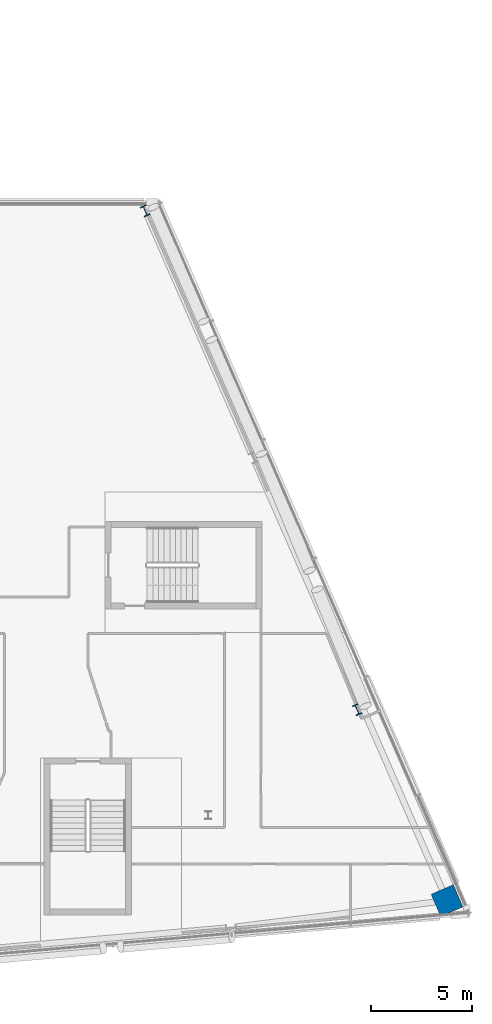
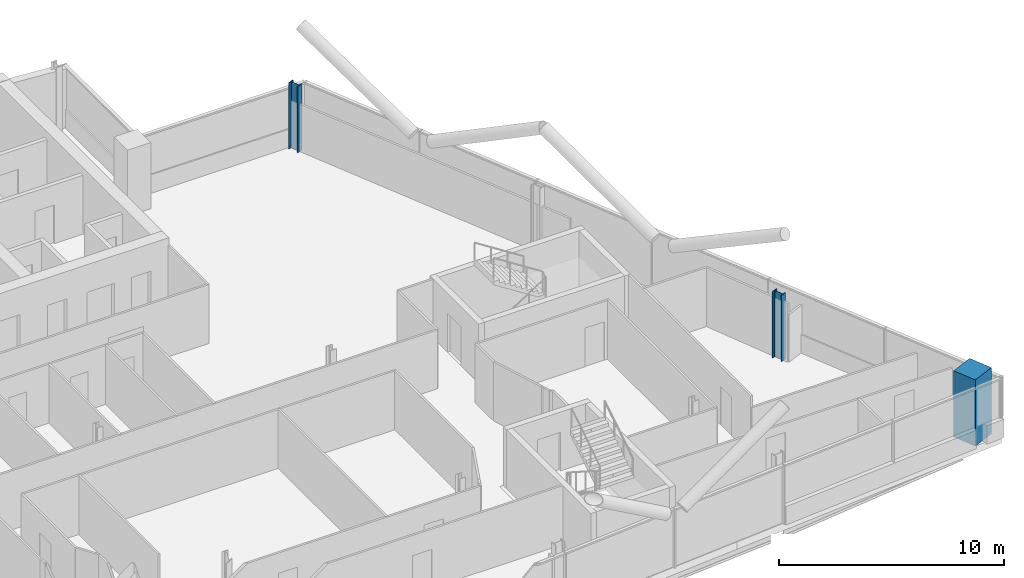
# One storey, part 4 of 27: 3 columns.
"""IFC4 building model written with IfcOpenShell, lengths in metres."""

import ifcopenshell
import ifcopenshell.guid

model = None  # the IFC model being written
_history = None  # IfcOwnerHistory: only IFC2X3 demands one
_inside = {}  # id of a spatial element -> (the spatial element, [elements in it])
_under = {}  # id of a project, library or spatial element -> (it, [spatial elements below it])
_declared = {}  # id of a project -> (the project, [libraries it declares])
_typed = {}  # id of a type object -> (the type object, [elements of that type])
_made_of = {}  # id of a material, layer set ... -> (it, [elements and type objects made of it])


def new_model(schema):
    """Start an empty IFC model of exactly this schema.

    Asked for "IFC4X3", IfcOpenShell would pick the latest addendum, in which some entities
    have other attributes; the version numbers below select the first issue.
    IFC2X3 requires an IfcOwnerHistory on every rooted entity: one is made here for all.
    """
    global model, _history
    if schema == "IFC4X3":
        model = ifcopenshell.file(schema_version=(4, 3, 0, 0))
    else:
        model = ifcopenshell.file(schema=schema)
    _inside.clear()
    _under.clear()
    _declared.clear()
    _typed.clear()
    _made_of.clear()
    _history = None
    if model.schema == "IFC2X3":
        org = make("IfcOrganization", Name="unknown")
        user = make(
            "IfcPersonAndOrganization",
            ThePerson=make("IfcPerson", FamilyName="unknown"),
            TheOrganization=org,
        )
        app = make(
            "IfcApplication",
            ApplicationDeveloper=org,
            Version="unknown",
            ApplicationFullName="unknown",
            ApplicationIdentifier="unknown",
        )
        _history = make(
            "IfcOwnerHistory",
            OwningUser=user,
            OwningApplication=app,
            ChangeAction="ADDED",
            CreationDate=0,
        )
    return model


def make(cls, **values):
    """One entity of the class cls with the attributes given. An attribute that is None is left unset."""
    return model.create_entity(
        cls, **{name: value for name, value in values.items() if value is not None}
    )


def rooted(cls, **values):
    """An entity with a GlobalId (a new one), such as an element, a storey or a relation."""
    return make(cls, GlobalId=ifcopenshell.guid.new(), OwnerHistory=_history, **values)


def si_unit(unit_type, name, prefix=None):
    """IfcSIUnit, for example si_unit("LENGTHUNIT", "METRE", prefix="MILLI")."""
    return make("IfcSIUnit", UnitType=unit_type, Prefix=prefix, Name=name)


def assignment(units):
    """IfcUnitAssignment: the units of a project."""
    return None if units is None else make("IfcUnitAssignment", Units=units)


def point(xyz):
    """IfcCartesianPoint."""
    return None if xyz is None else make("IfcCartesianPoint", Coordinates=xyz)


def direction(xyz):
    """IfcDirection."""
    return None if xyz is None else make("IfcDirection", DirectionRatios=xyz)


def frame(location, z_axis=None, x_axis=None):
    """IfcAxis2Placement3D, a coordinate frame: its origin and axes. An axis left out is left unset."""
    return make(
        "IfcAxis2Placement3D",
        Location=point(location),
        Axis=direction(z_axis),
        RefDirection=direction(x_axis),
    )


def frame_2d(location, x_axis=None):
    """IfcAxis2Placement2D, a coordinate frame in the plane: its origin and x axis."""
    return make(
        "IfcAxis2Placement2D", Location=point(location), RefDirection=direction(x_axis)
    )


def origin():
    """The frame at (0, 0, 0) with its axes left unset."""
    return frame((0.0, 0.0, 0.0))


def origin_2d():
    """The frame at (0, 0) in the plane with its x axis left unset."""
    return frame_2d((0.0, 0.0))


def place(relative_to, where):
    """IfcLocalPlacement: puts the frame where relative to a parent placement (None: the world)."""
    return make(
        "IfcLocalPlacement", PlacementRelTo=relative_to, RelativePlacement=where
    )


def context(
    kind, dimensions, precision=None, world=None, true_north=None, identifier=None
):
    """IfcGeometricRepresentationContext, for example the 3D "Model" context."""
    return make(
        "IfcGeometricRepresentationContext",
        ContextIdentifier=identifier,
        ContextType=kind,
        CoordinateSpaceDimension=dimensions,
        Precision=precision,
        WorldCoordinateSystem=world,
        TrueNorth=true_north,
    )


def subcontext(parent, identifier, kind, view, scale=None):
    """IfcGeometricRepresentationSubContext, for example "Body" below "Model"."""
    return make(
        "IfcGeometricRepresentationSubContext",
        ContextIdentifier=identifier,
        ContextType=kind,
        ParentContext=parent,
        TargetScale=scale,
        TargetView=view,
    )


def project(units=None, contexts=None):
    """IfcProject with its units and contexts."""
    return rooted(
        "IfcProject",
        Name="project",
        RepresentationContexts=contexts,
        UnitsInContext=assignment(units),
    )


def spatial(cls, under=None, at=None, **own):
    """A site, building, storey or space (cls), placed at a placement, below another one or the project."""
    s = rooted(cls, ObjectPlacement=at, **own)
    if under is not None:
        _under.setdefault(under.id(), (under, []))[1].append(s)
    return s


def profile(cls, at=None, kind="AREA", **sizes):
    """A parametric profile (cls). Its sizes go by their IFC names, for example OverallWidth=200.0."""
    return make(cls, ProfileType=kind, Position=at, **sizes)


def rectangle(**sizes):
    """IfcRectangleProfileDef."""
    return profile("IfcRectangleProfileDef", **sizes)


def i_section(**sizes):
    """IfcIShapeProfileDef."""
    return profile("IfcIShapeProfileDef", **sizes)


def extrude(swept, where, along, depth):
    """IfcExtrudedAreaSolid: the profile swept, set in the frame where, extruded along a direction by depth."""
    return make(
        "IfcExtrudedAreaSolid",
        SweptArea=swept,
        Position=where,
        ExtrudedDirection=direction(along),
        Depth=depth,
    )


def shape(context_of_items, identifier, shape_type, items):
    """IfcShapeRepresentation: the items that make up one representation, for example the "Body"."""
    return make(
        "IfcShapeRepresentation",
        ContextOfItems=context_of_items,
        RepresentationIdentifier=identifier,
        RepresentationType=shape_type,
        Items=items,
    )


def material(Name=None, Category=None):
    """IfcMaterial."""
    return make("IfcMaterial", Name=Name, Category=Category)


def material_profile(
    of_material, cross_section, Name=None, Category=None, Priority=None
):
    """IfcMaterialProfile: a cross section and its material."""
    return make(
        "IfcMaterialProfile",
        Name=Name,
        Material=of_material,
        Profile=cross_section,
        Priority=Priority,
        Category=Category,
    )


def profile_set(profiles, Name=None, composite=None):
    """IfcMaterialProfileSet."""
    return make(
        "IfcMaterialProfileSet",
        Name=Name,
        MaterialProfiles=profiles,
        CompositeProfile=composite,
    )


def made_of(thing, what):
    """Note that an element or type object is made of a material, layer set ...; save() writes the relation."""
    if what is not None:
        _made_of.setdefault(what.id(), (what, []))[1].append(thing)
    return thing


def type_object(cls, material=None, **own):
    """A type object (cls), such as IfcWallType, which elements share."""
    return made_of(rooted(cls, **own), material)


def element(
    cls,
    number,
    at=None,
    inside=None,
    cuts=None,
    type_object=None,
    material=None,
    context=None,
    identifier="Body",
    shape_type=None,
    held_by="IfcProductDefinitionShape",
    body=None,
    shapes=None,
    **own,
):
    """One element of the class cls, such as IfcWall. Its Tag is "e" and its number.

    at: its placement. inside: the storey or other place that contains it. cuts: it is an
    opening in that element (IfcRelVoidsElement). A single representation is given by context,
    identifier, shape_type and body (its items); several are given by shapes. held_by: the class
    of the entity that holds the representations. save() writes the other relations.
    """
    e = rooted(cls, Tag="e%d" % number, ObjectPlacement=at, **own)
    if body is not None:
        shapes = [shape(context, identifier, shape_type, body)]
    if shapes is not None:
        e.Representation = make(held_by, Representations=shapes)
    if inside is not None:
        _inside.setdefault(inside.id(), (inside, []))[1].append(e)
    if cuts is not None:
        rooted(
            "IfcRelVoidsElement", RelatingBuildingElement=cuts, RelatedOpeningElement=e
        )
    if type_object is not None:
        _typed.setdefault(type_object.id(), (type_object, []))[1].append(e)
    return made_of(e, material)


def aggregate(whole, parts):
    """IfcRelAggregates: a whole, such as a stair, and the parts it consists of."""
    return rooted("IfcRelAggregates", RelatingObject=whole, RelatedObjects=parts)


def save(model, path):
    """Write the relations noted so far, then the file.

    IfcRelAggregates (storeys below a building ...), IfcRelContainedInSpatialStructure (elements
    in a storey), IfcRelDefinesByType, IfcRelAssociatesMaterial and IfcRelDeclares: one each for
    every whole, place, type object, material and project.
    """
    for whole, parts in _under.values():
        aggregate(whole, parts)
    for where, things in _inside.values():
        rooted(
            "IfcRelContainedInSpatialStructure",
            RelatedElements=things,
            RelatingStructure=where,
        )
    for kind, things in _typed.values():
        rooted("IfcRelDefinesByType", RelatedObjects=things, RelatingType=kind)
    for what, things in _made_of.values():
        rooted("IfcRelAssociatesMaterial", RelatedObjects=things, RelatingMaterial=what)
    for by, libraries in _declared.values():
        rooted("IfcRelDeclares", RelatingContext=by, RelatedDefinitions=libraries)
    model.write(path)


model = new_model("IFC4")

# Units and contexts
model_context = context("Model", 3, precision=1e-05, world=origin(), true_north=direction((0.0, 1.0)))
body_context = subcontext(model_context, "Body", "Model", "MODEL_VIEW")
ifc_project = project(units=[si_unit("LENGTHUNIT", "METRE"), si_unit("AREAUNIT", "SQUARE_METRE"), si_unit("VOLUMEUNIT", "CUBIC_METRE"), si_unit("PLANEANGLEUNIT", "RADIAN"), si_unit("MASSUNIT", "GRAM", prefix="KILO")], contexts=[model_context])

# Site, building, storey
site_placement = place(None, origin())
site = spatial("IfcSite", under=ifc_project, at=site_placement, CompositionType="ELEMENT")
building_placement = place(site_placement, origin())
building = spatial("IfcBuilding", under=site, at=building_placement, Name="Wharfspan Tower", CompositionType="ELEMENT")
storey_placement = place(building_placement, frame((0.0, 0.0, 243.100098)))
storey = spatial("IfcBuildingStorey", under=building, at=storey_placement, Name="L61", CompositionType="ELEMENT", Elevation=243.100098)

# Columns
ifc_material_1 = material(Name="Steel S355J2", Category="steel")
ifc_material_profile_1 = material_profile(ifc_material_1, i_section(OverallWidth=0.305908, OverallDepth=0.523926, WebThickness=0.020996, FlangeThickness=0.040039, FilletRadius=0.0271, at=origin_2d()))
ifc_profile_set_1 = profile_set([ifc_material_profile_1], Name="Steel S355J2")
column_type_1 = type_object("IfcColumnType", Name="Column HEM 500", PredefinedType="COLUMN", material=ifc_profile_set_1)
for number, where, z_axis, x_axis, name in (
    (1, (79.409668, 16.761719, 0.0), (0.0, 0.0, 1.0), (0.917072, 0.398727, 0.0), "Perimeter column PE.1 L61"),
    (2, (68.867188, 41.572266, 0.0), (0.0, 0.0, 1.0), (0.917072, 0.398727, 0.0), "Perimeter column PE.3 L61"),
):
    element("IfcColumn", number, at=place(storey_placement, frame(where, z_axis=z_axis, x_axis=x_axis)), inside=storey, type_object=column_type_1, Name=name, PredefinedType="COLUMN", context=body_context, shape_type="SweptSolid", body=[
        extrude(i_section(OverallWidth=0.305908, OverallDepth=0.523926, WebThickness=0.020996, FlangeThickness=0.040039, FilletRadius=0.0271, at=origin_2d()), origin(), (0.0, 0.0, 1.0), 3.599854),
    ])
ifc_material_2 = material(Name="Concrete C50/60", Category="concrete")
ifc_material_profile_2 = material_profile(ifc_material_2, rectangle(XDim=1.199951, YDim=1.199951, at=origin_2d()))
ifc_profile_set_2 = profile_set([ifc_material_profile_2], Name="Concrete C50/60")
column_type_2 = type_object("IfcColumnType", Name="Mega column 1200 C50/60", PredefinedType="COLUMN", material=ifc_profile_set_2)
column_placement = place(storey_placement, frame((83.882812, 7.264648, 0.0), z_axis=(0.0, 0.0, 1.0), x_axis=(-0.398727, 0.917072, 0.0)))
element("IfcColumn", 3, at=column_placement, inside=storey, type_object=column_type_2, Name="Mega column MC4 L61", PredefinedType="COLUMN", context=body_context, shape_type="SweptSolid", body=[
    extrude(rectangle(XDim=1.199951, YDim=1.199951, at=origin_2d()), origin(), (0.0, 0.0, 1.0), 3.599854),
])

save(model, "model.ifc")
